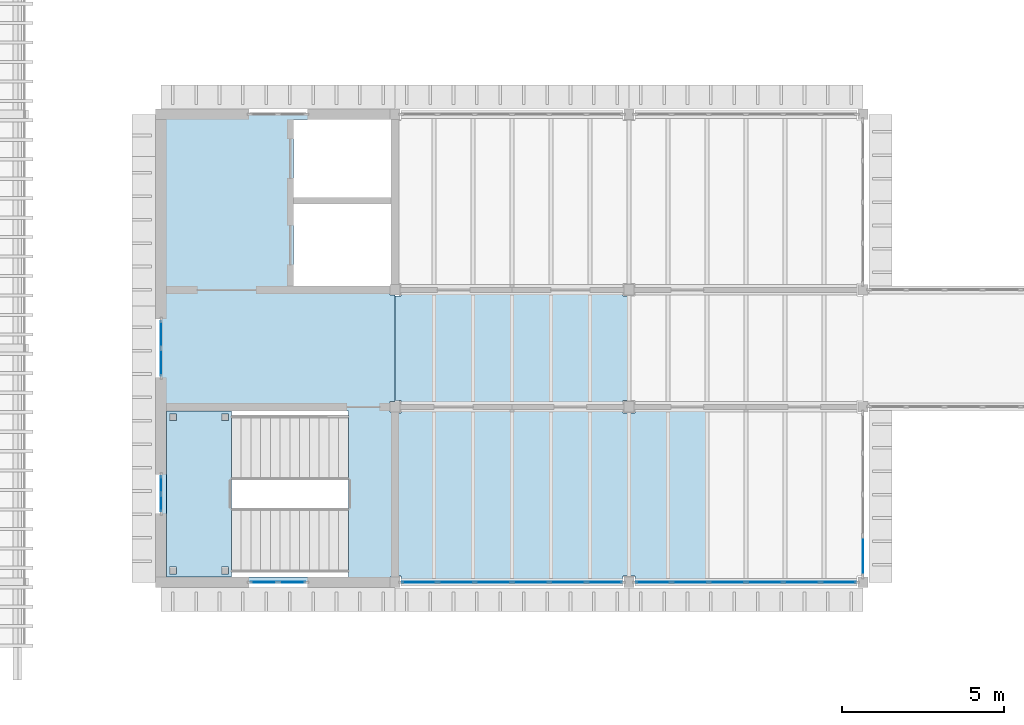
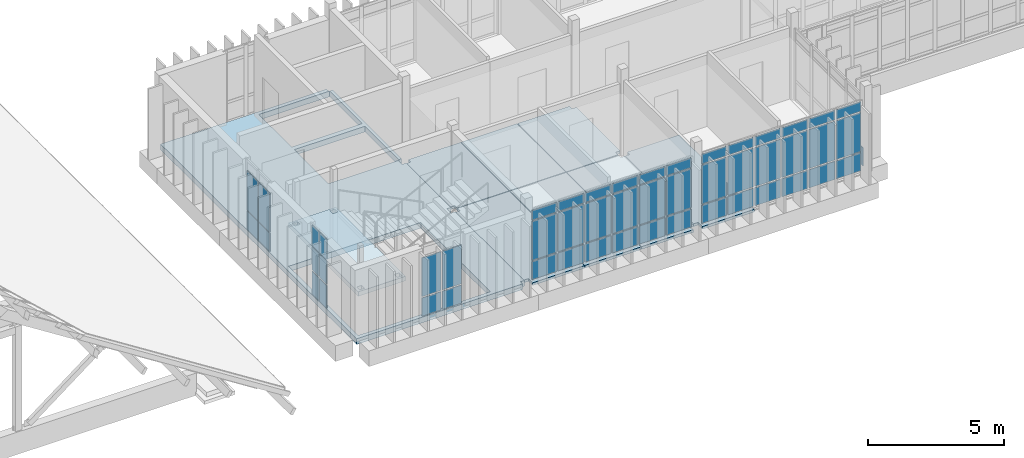
# One storey, part 31 of 71: 51 plates, 9 slabs, 7 elements without a shape of their own.
"""IFC4 building model written with IfcOpenShell, lengths in metres."""

from ifc_helpers import new_model, si_unit, direction, frame, origin, origin_2d, place, context, subcontext, project, spatial, polyline, rectangle, outline, extrude, material, layer, layer_set, type_object, element, aggregate, save


model = new_model("IFC4")

# Units and contexts
model_context = context("Model", 3, precision=1e-05, world=origin(), true_north=direction((0.0, 1.0)))
body_context = subcontext(model_context, "Body", "Model", "MODEL_VIEW")
ifc_project = project(units=[si_unit("LENGTHUNIT", "METRE"), si_unit("AREAUNIT", "SQUARE_METRE"), si_unit("VOLUMEUNIT", "CUBIC_METRE"), si_unit("PLANEANGLEUNIT", "RADIAN"), si_unit("MASSUNIT", "GRAM", prefix="KILO")], contexts=[model_context])

# Site, building, storey
site_placement = place(None, origin())
site = spatial("IfcSite", under=ifc_project, at=site_placement, CompositionType="ELEMENT")
building_placement = place(site_placement, origin())
building = spatial("IfcBuilding", under=site, at=building_placement, Name="Mazhai Court Health Centre", CompositionType="ELEMENT")
storey_placement = place(building_placement, frame((0.0, 0.0, 10.199951171875)))
storey = spatial("IfcBuildingStorey", under=building, at=storey_placement, Name="L02", CompositionType="ELEMENT", Elevation=10.199951171875)

# Slabs
ifc_material_1 = material(Name="CLT C24 5-ply", Category="wood")
ifc_layer_1 = layer(ifc_material_1, 0.1201171875)
ifc_layer_set_1 = layer_set([ifc_layer_1], Name="CLT C24 5-ply 120 floor panel")
slab_type_1 = type_object("IfcSlabType", Name="CLT C24 5-ply 120 floor panel", PredefinedType="FLOOR", material=ifc_layer_set_1)
slab_1_placement = place(storey_placement, frame((0.0, 0.0, -0.119873046875)))
element("IfcSlab", 1, at=slab_1_placement, inside=storey, type_object=slab_type_1, Name="slab-V4-L02-b1-A0", PredefinedType="FLOOR", context=body_context, shape_type="SweptSolid", body=[
    extrude(outline(polyline([(80.590087890625, 18.7900390625), (78.389892578125, 18.7900390625), (78.389892578125, 18.610107421875), (78.199951171875, 18.610107421875), (78.199951171875, 13.590087890625), (78.389892578125, 13.590087890625), (78.389892578125, 13.280029296875), (80.590087890625, 13.280029296875), (80.590087890625, 18.7900390625)])), origin(), (0.0, 0.0, 1.0), 0.119873046875),
])
slab_2_placement = place(storey_placement, frame((0.0, 0.0, -0.119873046875)))
element("IfcSlab", 2, at=slab_2_placement, inside=storey, type_object=slab_type_1, Name="slab-V4-L02-b1-A1", PredefinedType="FLOOR", context=body_context, shape_type="SweptSolid", body=[
    extrude(outline(polyline([(80.610107421875, 13.280029296875), (82.989990234375, 13.280029296875), (82.989990234375, 18.7900390625), (80.610107421875, 18.7900390625), (80.610107421875, 13.280029296875)])), origin(), (0.0, 0.0, 1.0), 0.119873046875),
])
slab_3_placement = place(storey_placement, frame((0.0, 0.0, -0.119873046875)))
element("IfcSlab", 3, at=slab_3_placement, inside=storey, type_object=slab_type_1, Name="slab-V4-L02-b1-A2", PredefinedType="FLOOR", context=body_context, shape_type="SweptSolid", body=[
    extrude(outline(polyline([(85.39990234375, 13.590087890625), (85.39990234375, 18.610107421875), (85.2099609375, 18.610107421875), (85.2099609375, 18.7900390625), (83.010009765625, 18.7900390625), (83.010009765625, 13.280029296875), (85.2099609375, 13.280029296875), (85.2099609375, 13.590087890625), (85.39990234375, 13.590087890625)])), origin(), (0.0, 0.0, 1.0), 0.119873046875),
])
slab_4_placement = place(storey_placement, frame((0.0, 0.0, -0.119873046875)))
element("IfcSlab", 4, at=slab_4_placement, inside=storey, type_object=slab_type_1, Name="slab-V4-L02-b1-C0", PredefinedType="FLOOR", context=body_context, shape_type="SweptSolid", body=[
    extrude(outline(polyline([(80.590087890625, 22.389892578125), (78.389892578125, 22.389892578125), (78.389892578125, 22.2099609375), (78.199951171875, 22.2099609375), (78.199951171875, 18.989990234375), (78.389892578125, 18.989990234375), (78.389892578125, 18.81005859375), (80.590087890625, 18.81005859375), (80.590087890625, 22.389892578125)])), origin(), (0.0, 0.0, 1.0), 0.119873046875),
])
slab_5_placement = place(storey_placement, frame((0.0, 0.0, -0.119873046875)))
element("IfcSlab", 5, at=slab_5_placement, inside=storey, type_object=slab_type_1, Name="slab-V4-L02-b1-C1", PredefinedType="FLOOR", context=body_context, shape_type="SweptSolid", body=[
    extrude(outline(polyline([(80.610107421875, 18.81005859375), (82.989990234375, 18.81005859375), (82.989990234375, 22.389892578125), (80.610107421875, 22.389892578125), (80.610107421875, 18.81005859375)])), origin(), (0.0, 0.0, 1.0), 0.119873046875),
])
slab_6_placement = place(storey_placement, frame((0.0, 0.0, -0.119873046875)))
element("IfcSlab", 6, at=slab_6_placement, inside=storey, type_object=slab_type_1, Name="slab-V4-L02-b1-C2", PredefinedType="FLOOR", context=body_context, shape_type="SweptSolid", body=[
    extrude(outline(polyline([(85.39990234375, 18.989990234375), (85.39990234375, 22.2099609375), (85.2099609375, 22.2099609375), (85.2099609375, 22.389892578125), (83.010009765625, 22.389892578125), (83.010009765625, 18.81005859375), (85.2099609375, 18.81005859375), (85.2099609375, 18.989990234375), (85.39990234375, 18.989990234375)])), origin(), (0.0, 0.0, 1.0), 0.119873046875),
])
slab_7_placement = place(storey_placement, frame((0.0, 0.0, -0.119873046875)))
element("IfcSlab", 7, at=slab_7_placement, inside=storey, type_object=slab_type_1, Name="slab-V4-L02-b2-A0", PredefinedType="FLOOR", context=body_context, shape_type="SweptSolid", body=[
    extrude(outline(polyline([(87.7900390625, 18.7900390625), (85.590087890625, 18.7900390625), (85.590087890625, 18.610107421875), (85.39990234375, 18.610107421875), (85.39990234375, 13.590087890625), (85.590087890625, 13.590087890625), (85.590087890625, 13.280029296875), (87.7900390625, 13.280029296875), (87.7900390625, 18.7900390625)])), origin(), (0.0, 0.0, 1.0), 0.119873046875),
])

# Curtain wall, plates
ifc_material_2 = material(Name="Teak timber frame, glazed", Category="wood")
ifc_layer_2 = layer(ifc_material_2, 0.10009765625)
ifc_layer_set_2 = layer_set([ifc_layer_2], Name="CURTAIN WALL TIMBER 900")
curtain_wall_type_1 = type_object("IfcCurtainWallType", Name="CURTAIN WALL TIMBER 900", PredefinedType="NOTDEFINED", material=ifc_layer_set_2)
curtain_wall_1_placement = place(storey_placement, origin())
curtain_wall_1 = element("IfcCurtainWall", 8, at=curtain_wall_1_placement, inside=storey, type_object=curtain_wall_type_1, Name="CW-V4-L02-A0", PredefinedType="NOTDEFINED")
ifc_material_3 = material(Name="Glass IGU 28 mm", Category="glass")
ifc_layer_3 = layer(ifc_material_3, 0.028076171875)
ifc_layer_set_3 = layer_set([ifc_layer_3], Name="CW PANEL IGU 28")
plate_type = type_object("IfcPlateType", Name="CW PANEL IGU 28", PredefinedType="CURTAIN_PANEL", material=ifc_layer_set_3)
plate_1_placement = place(storey_placement, frame((75.034912109375, 13.39990234375, 0.06005859375), z_axis=(0.0, 0.0, 1.0), x_axis=(-1.0, 0.0, 0.0)))
plate_1 = element("IfcPlate", 9, at=plate_1_placement, type_object=plate_type, Name="CW panel 1.1", PredefinedType="CURTAIN_PANEL", context=body_context, shape_type="SweptSolid", body=[
    extrude(rectangle(XDim=0.81005859375, YDim=0.028076171875, at=origin_2d()), origin(), (0.0, 0.0, 1.0), 0.81005859375),
])
plate_2_placement = place(storey_placement, frame((75.034912109375, 13.39990234375, 0.93017578125), z_axis=(0.0, 0.0, 1.0), x_axis=(-1.0, 0.0, 0.0)))
plate_2 = element("IfcPlate", 10, at=plate_2_placement, type_object=plate_type, Name="CW panel 1.2", PredefinedType="CURTAIN_PANEL", context=body_context, shape_type="SweptSolid", body=[
    extrude(rectangle(XDim=0.81005859375, YDim=0.028076171875, at=origin_2d()), origin(), (0.0, 0.0, 1.0), 1.739990234375),
])
plate_3_placement = place(storey_placement, frame((74.1650390625, 13.39990234375, 0.06005859375), z_axis=(0.0, 0.0, 1.0), x_axis=(-1.0, 0.0, 0.0)))
plate_3 = element("IfcPlate", 11, at=plate_3_placement, type_object=plate_type, Name="CW panel 2.1", PredefinedType="CURTAIN_PANEL", context=body_context, shape_type="SweptSolid", body=[
    extrude(rectangle(XDim=0.81005859375, YDim=0.028076171875, at=origin_2d()), origin(), (0.0, 0.0, 1.0), 0.81005859375),
])
plate_4_placement = place(storey_placement, frame((74.1650390625, 13.39990234375, 0.93017578125), z_axis=(0.0, 0.0, 1.0), x_axis=(-1.0, 0.0, 0.0)))
plate_4 = element("IfcPlate", 12, at=plate_4_placement, type_object=plate_type, Name="CW panel 2.2", PredefinedType="CURTAIN_PANEL", context=body_context, shape_type="SweptSolid", body=[
    extrude(rectangle(XDim=0.81005859375, YDim=0.028076171875, at=origin_2d()), origin(), (0.0, 0.0, 1.0), 1.739990234375),
])
aggregate(curtain_wall_1, [plate_1, plate_2, plate_3, plate_4])

ifc_material_4 = material(Name="Teak timber frame, glazed", Category="wood")
ifc_layer_4 = layer(ifc_material_4, 0.10009765625)
ifc_layer_set_4 = layer_set([ifc_layer_4], Name="CURTAIN WALL TIMBER 600")
curtain_wall_type_2 = type_object("IfcCurtainWallType", Name="CURTAIN WALL TIMBER 600", PredefinedType="NOTDEFINED", material=ifc_layer_set_4)
curtain_wall_2_placement = place(storey_placement, origin())
curtain_wall_2 = element("IfcCurtainWall", 13, at=curtain_wall_2_placement, inside=storey, type_object=curtain_wall_type_2, Name="CW-V4-L02-SSTAIR0", PredefinedType="NOTDEFINED")
plate_5_placement = place(storey_placement, frame((71.0, 15.8349609375, 0.06005859375), z_axis=(0.0, 0.0, 1.0), x_axis=(0.0, 1.0, 0.0)))
plate_5 = element("IfcPlate", 14, at=plate_5_placement, type_object=plate_type, Name="CW panel 1.1", PredefinedType="CURTAIN_PANEL", context=body_context, shape_type="SweptSolid", body=[
    extrude(rectangle(XDim=0.510009765625, YDim=0.028076171875, at=origin_2d()), origin(), (0.0, 0.0, 1.0), 1.010009765625),
])
plate_6_placement = place(storey_placement, frame((71.0, 15.8349609375, 1.130126953125), z_axis=(0.0, 0.0, 1.0), x_axis=(0.0, 1.0, 0.0)))
plate_6 = element("IfcPlate", 15, at=plate_6_placement, type_object=plate_type, Name="CW panel 1.2", PredefinedType="CURTAIN_PANEL", context=body_context, shape_type="SweptSolid", body=[
    extrude(rectangle(XDim=0.510009765625, YDim=0.028076171875, at=origin_2d()), origin(), (0.0, 0.0, 1.0), 1.0400390625),
])
plate_7_placement = place(storey_placement, frame((71.0, 15.8349609375, 2.22998046875), z_axis=(0.0, 0.0, 1.0), x_axis=(0.0, 1.0, 0.0)))
plate_7 = element("IfcPlate", 16, at=plate_7_placement, type_object=plate_type, Name="CW panel 1.3", PredefinedType="CURTAIN_PANEL", context=body_context, shape_type="SweptSolid", body=[
    extrude(rectangle(XDim=0.510009765625, YDim=0.028076171875, at=origin_2d()), origin(), (0.0, 0.0, 1.0), 0.909912109375),
])
plate_8_placement = place(storey_placement, frame((71.0, 16.405029296875, 0.06005859375), z_axis=(0.0, 0.0, 1.0), x_axis=(0.0, 1.0, 0.0)))
plate_8 = element("IfcPlate", 17, at=plate_8_placement, type_object=plate_type, Name="CW panel 2.1", PredefinedType="CURTAIN_PANEL", context=body_context, shape_type="SweptSolid", body=[
    extrude(rectangle(XDim=0.510009765625, YDim=0.028076171875, at=origin_2d()), origin(), (0.0, 0.0, 1.0), 1.010009765625),
])
plate_9_placement = place(storey_placement, frame((71.0, 16.405029296875, 1.130126953125), z_axis=(0.0, 0.0, 1.0), x_axis=(0.0, 1.0, 0.0)))
plate_9 = element("IfcPlate", 18, at=plate_9_placement, type_object=plate_type, Name="CW panel 2.2", PredefinedType="CURTAIN_PANEL", context=body_context, shape_type="SweptSolid", body=[
    extrude(rectangle(XDim=0.510009765625, YDim=0.028076171875, at=origin_2d()), origin(), (0.0, 0.0, 1.0), 1.0400390625),
])
plate_10_placement = place(storey_placement, frame((71.0, 16.405029296875, 2.22998046875), z_axis=(0.0, 0.0, 1.0), x_axis=(0.0, 1.0, 0.0)))
plate_10 = element("IfcPlate", 19, at=plate_10_placement, type_object=plate_type, Name="CW panel 2.3", PredefinedType="CURTAIN_PANEL", context=body_context, shape_type="SweptSolid", body=[
    extrude(rectangle(XDim=0.510009765625, YDim=0.028076171875, at=origin_2d()), origin(), (0.0, 0.0, 1.0), 0.909912109375),
])
aggregate(curtain_wall_2, [plate_5, plate_6, plate_7, plate_8, plate_9, plate_10])

curtain_wall_3_placement = place(storey_placement, origin())
curtain_wall_3 = element("IfcCurtainWall", 20, at=curtain_wall_3_placement, inside=storey, type_object=curtain_wall_type_1, Name="CW-V4-L02-SLIFT1", PredefinedType="NOTDEFINED")
plate_11_placement = place(storey_placement, frame((71.0, 20.1650390625, 0.06005859375), z_axis=(0.0, 0.0, 1.0), x_axis=(0.0, 1.0, 0.0)))
plate_11 = element("IfcPlate", 21, at=plate_11_placement, type_object=plate_type, Name="CW panel 1.1", PredefinedType="CURTAIN_PANEL", context=body_context, shape_type="SweptSolid", body=[
    extrude(rectangle(XDim=0.81005859375, YDim=0.028076171875, at=origin_2d()), origin(), (0.0, 0.0, 1.0), 0.81005859375),
])
plate_12_placement = place(storey_placement, frame((71.0, 20.1650390625, 0.93017578125), z_axis=(0.0, 0.0, 1.0), x_axis=(0.0, 1.0, 0.0)))
plate_12 = element("IfcPlate", 22, at=plate_12_placement, type_object=plate_type, Name="CW panel 1.2", PredefinedType="CURTAIN_PANEL", context=body_context, shape_type="SweptSolid", body=[
    extrude(rectangle(XDim=0.81005859375, YDim=0.028076171875, at=origin_2d()), origin(), (0.0, 0.0, 1.0), 1.739990234375),
])
plate_13_placement = place(storey_placement, frame((71.0, 21.034912109375, 0.06005859375), z_axis=(0.0, 0.0, 1.0), x_axis=(0.0, 1.0, 0.0)))
plate_13 = element("IfcPlate", 23, at=plate_13_placement, type_object=plate_type, Name="CW panel 2.1", PredefinedType="CURTAIN_PANEL", context=body_context, shape_type="SweptSolid", body=[
    extrude(rectangle(XDim=0.81005859375, YDim=0.028076171875, at=origin_2d()), origin(), (0.0, 0.0, 1.0), 0.81005859375),
])
plate_14_placement = place(storey_placement, frame((71.0, 21.034912109375, 0.93017578125), z_axis=(0.0, 0.0, 1.0), x_axis=(0.0, 1.0, 0.0)))
plate_14 = element("IfcPlate", 24, at=plate_14_placement, type_object=plate_type, Name="CW panel 2.2", PredefinedType="CURTAIN_PANEL", context=body_context, shape_type="SweptSolid", body=[
    extrude(rectangle(XDim=0.81005859375, YDim=0.028076171875, at=origin_2d()), origin(), (0.0, 0.0, 1.0), 1.739990234375),
])
aggregate(curtain_wall_3, [plate_11, plate_12, plate_13, plate_14])

ifc_material_5 = material(Name="Teak timber frame, glazed", Category="wood")
ifc_layer_5 = layer(ifc_material_5, 0.10009765625)
ifc_layer_set_5 = layer_set([ifc_layer_5], Name="CURTAIN WALL TIMBER 1200")
curtain_wall_type_3 = type_object("IfcCurtainWallType", Name="CURTAIN WALL TIMBER 1200", PredefinedType="NOTDEFINED", material=ifc_layer_set_5)
curtain_wall_4_placement = place(storey_placement, origin())
curtain_wall_4 = element("IfcCurtainWall", 25, at=curtain_wall_4_placement, inside=storey, type_object=curtain_wall_type_3, Name="CW-V4-L02-A1", PredefinedType="NOTDEFINED")
plate_15_placement = place(storey_placement, frame((84.651611328125, 13.39990234375, 0.06005859375), z_axis=(0.0, 0.0, 1.0), x_axis=(-1.0, 0.0, 0.0)))
plate_15 = element("IfcPlate", 26, at=plate_15_placement, type_object=plate_type, Name="CW panel 1.1", PredefinedType="CURTAIN_PANEL", context=body_context, shape_type="SweptSolid", body=[
    extrude(rectangle(XDim=1.056640625, YDim=0.028076171875, at=origin_2d()), origin(), (0.0, 0.0, 1.0), 0.81005859375),
])
plate_16_placement = place(storey_placement, frame((84.651611328125, 13.39990234375, 0.93017578125), z_axis=(0.0, 0.0, 1.0), x_axis=(-1.0, 0.0, 0.0)))
plate_16 = element("IfcPlate", 27, at=plate_16_placement, type_object=plate_type, Name="CW panel 1.2", PredefinedType="CURTAIN_PANEL", context=body_context, shape_type="SweptSolid", body=[
    extrude(rectangle(XDim=1.056640625, YDim=0.028076171875, at=origin_2d()), origin(), (0.0, 0.0, 1.0), 1.739990234375),
])
plate_17_placement = place(storey_placement, frame((84.651611328125, 13.39990234375, 2.72998046875), z_axis=(0.0, 0.0, 1.0), x_axis=(-1.0, 0.0, 0.0)))
plate_17 = element("IfcPlate", 28, at=plate_17_placement, type_object=plate_type, Name="CW panel 1.3", PredefinedType="CURTAIN_PANEL", context=body_context, shape_type="SweptSolid", body=[
    extrude(rectangle(XDim=1.056640625, YDim=0.028076171875, at=origin_2d()), origin(), (0.0, 0.0, 1.0), 0.429931640625),
])
plate_18_placement = place(storey_placement, frame((83.52001953125, 13.39990234375, 0.06005859375), z_axis=(0.0, 0.0, 1.0), x_axis=(-1.0, 0.0, 0.0)))
plate_18 = element("IfcPlate", 29, at=plate_18_placement, type_object=plate_type, Name="CW panel 2.1", PredefinedType="CURTAIN_PANEL", context=body_context, shape_type="SweptSolid", body=[
    extrude(rectangle(XDim=1.086669921875, YDim=0.028076171875, at=origin_2d()), origin(), (0.0, 0.0, 1.0), 0.81005859375),
])
plate_19_placement = place(storey_placement, frame((83.52001953125, 13.39990234375, 0.93017578125), z_axis=(0.0, 0.0, 1.0), x_axis=(-1.0, 0.0, 0.0)))
plate_19 = element("IfcPlate", 30, at=plate_19_placement, type_object=plate_type, Name="CW panel 2.2", PredefinedType="CURTAIN_PANEL", context=body_context, shape_type="SweptSolid", body=[
    extrude(rectangle(XDim=1.086669921875, YDim=0.028076171875, at=origin_2d()), origin(), (0.0, 0.0, 1.0), 1.739990234375),
])
plate_20_placement = place(storey_placement, frame((83.52001953125, 13.39990234375, 2.72998046875), z_axis=(0.0, 0.0, 1.0), x_axis=(-1.0, 0.0, 0.0)))
plate_20 = element("IfcPlate", 31, at=plate_20_placement, type_object=plate_type, Name="CW panel 2.3", PredefinedType="CURTAIN_PANEL", context=body_context, shape_type="SweptSolid", body=[
    extrude(rectangle(XDim=1.086669921875, YDim=0.028076171875, at=origin_2d()), origin(), (0.0, 0.0, 1.0), 0.429931640625),
])
plate_21_placement = place(storey_placement, frame((82.373291015625, 13.39990234375, 0.06005859375), z_axis=(0.0, 0.0, 1.0), x_axis=(-1.0, 0.0, 0.0)))
plate_21 = element("IfcPlate", 32, at=plate_21_placement, type_object=plate_type, Name="CW panel 3.1", PredefinedType="CURTAIN_PANEL", context=body_context, shape_type="SweptSolid", body=[
    extrude(rectangle(XDim=1.086669921875, YDim=0.028076171875, at=origin_2d()), origin(), (0.0, 0.0, 1.0), 0.81005859375),
])
plate_22_placement = place(storey_placement, frame((82.373291015625, 13.39990234375, 0.93017578125), z_axis=(0.0, 0.0, 1.0), x_axis=(-1.0, 0.0, 0.0)))
plate_22 = element("IfcPlate", 33, at=plate_22_placement, type_object=plate_type, Name="CW panel 3.2", PredefinedType="CURTAIN_PANEL", context=body_context, shape_type="SweptSolid", body=[
    extrude(rectangle(XDim=1.086669921875, YDim=0.028076171875, at=origin_2d()), origin(), (0.0, 0.0, 1.0), 1.739990234375),
])
plate_23_placement = place(storey_placement, frame((82.373291015625, 13.39990234375, 2.72998046875), z_axis=(0.0, 0.0, 1.0), x_axis=(-1.0, 0.0, 0.0)))
plate_23 = element("IfcPlate", 34, at=plate_23_placement, type_object=plate_type, Name="CW panel 3.3", PredefinedType="CURTAIN_PANEL", context=body_context, shape_type="SweptSolid", body=[
    extrude(rectangle(XDim=1.086669921875, YDim=0.028076171875, at=origin_2d()), origin(), (0.0, 0.0, 1.0), 0.429931640625),
])
plate_24_placement = place(storey_placement, frame((81.2265625, 13.39990234375, 0.06005859375), z_axis=(0.0, 0.0, 1.0), x_axis=(-1.0, 0.0, 0.0)))
plate_24 = element("IfcPlate", 35, at=plate_24_placement, type_object=plate_type, Name="CW panel 4.1", PredefinedType="CURTAIN_PANEL", context=body_context, shape_type="SweptSolid", body=[
    extrude(rectangle(XDim=1.086669921875, YDim=0.028076171875, at=origin_2d()), origin(), (0.0, 0.0, 1.0), 0.81005859375),
])
plate_25_placement = place(storey_placement, frame((81.2265625, 13.39990234375, 0.93017578125), z_axis=(0.0, 0.0, 1.0), x_axis=(-1.0, 0.0, 0.0)))
plate_25 = element("IfcPlate", 36, at=plate_25_placement, type_object=plate_type, Name="CW panel 4.2", PredefinedType="CURTAIN_PANEL", context=body_context, shape_type="SweptSolid", body=[
    extrude(rectangle(XDim=1.086669921875, YDim=0.028076171875, at=origin_2d()), origin(), (0.0, 0.0, 1.0), 1.739990234375),
])
plate_26_placement = place(storey_placement, frame((81.2265625, 13.39990234375, 2.72998046875), z_axis=(0.0, 0.0, 1.0), x_axis=(-1.0, 0.0, 0.0)))
plate_26 = element("IfcPlate", 37, at=plate_26_placement, type_object=plate_type, Name="CW panel 4.3", PredefinedType="CURTAIN_PANEL", context=body_context, shape_type="SweptSolid", body=[
    extrude(rectangle(XDim=1.086669921875, YDim=0.028076171875, at=origin_2d()), origin(), (0.0, 0.0, 1.0), 0.429931640625),
])
plate_27_placement = place(storey_placement, frame((80.080078125, 13.39990234375, 0.06005859375), z_axis=(0.0, 0.0, 1.0), x_axis=(-1.0, 0.0, 0.0)))
plate_27 = element("IfcPlate", 38, at=plate_27_placement, type_object=plate_type, Name="CW panel 5.1", PredefinedType="CURTAIN_PANEL", context=body_context, shape_type="SweptSolid", body=[
    extrude(rectangle(XDim=1.086669921875, YDim=0.028076171875, at=origin_2d()), origin(), (0.0, 0.0, 1.0), 0.81005859375),
])
plate_28_placement = place(storey_placement, frame((80.080078125, 13.39990234375, 0.93017578125), z_axis=(0.0, 0.0, 1.0), x_axis=(-1.0, 0.0, 0.0)))
plate_28 = element("IfcPlate", 39, at=plate_28_placement, type_object=plate_type, Name="CW panel 5.2", PredefinedType="CURTAIN_PANEL", context=body_context, shape_type="SweptSolid", body=[
    extrude(rectangle(XDim=1.086669921875, YDim=0.028076171875, at=origin_2d()), origin(), (0.0, 0.0, 1.0), 1.739990234375),
])
plate_29_placement = place(storey_placement, frame((80.080078125, 13.39990234375, 2.72998046875), z_axis=(0.0, 0.0, 1.0), x_axis=(-1.0, 0.0, 0.0)))
plate_29 = element("IfcPlate", 40, at=plate_29_placement, type_object=plate_type, Name="CW panel 5.3", PredefinedType="CURTAIN_PANEL", context=body_context, shape_type="SweptSolid", body=[
    extrude(rectangle(XDim=1.086669921875, YDim=0.028076171875, at=origin_2d()), origin(), (0.0, 0.0, 1.0), 0.429931640625),
])
plate_30_placement = place(storey_placement, frame((78.9482421875, 13.39990234375, 0.06005859375), z_axis=(0.0, 0.0, 1.0), x_axis=(-1.0, 0.0, 0.0)))
plate_30 = element("IfcPlate", 41, at=plate_30_placement, type_object=plate_type, Name="CW panel 6.1", PredefinedType="CURTAIN_PANEL", context=body_context, shape_type="SweptSolid", body=[
    extrude(rectangle(XDim=1.056640625, YDim=0.028076171875, at=origin_2d()), origin(), (0.0, 0.0, 1.0), 0.81005859375),
])
plate_31_placement = place(storey_placement, frame((78.9482421875, 13.39990234375, 0.93017578125), z_axis=(0.0, 0.0, 1.0), x_axis=(-1.0, 0.0, 0.0)))
plate_31 = element("IfcPlate", 42, at=plate_31_placement, type_object=plate_type, Name="CW panel 6.2", PredefinedType="CURTAIN_PANEL", context=body_context, shape_type="SweptSolid", body=[
    extrude(rectangle(XDim=1.056640625, YDim=0.028076171875, at=origin_2d()), origin(), (0.0, 0.0, 1.0), 1.739990234375),
])
plate_32_placement = place(storey_placement, frame((78.9482421875, 13.39990234375, 2.72998046875), z_axis=(0.0, 0.0, 1.0), x_axis=(-1.0, 0.0, 0.0)))
plate_32 = element("IfcPlate", 43, at=plate_32_placement, type_object=plate_type, Name="CW panel 6.3", PredefinedType="CURTAIN_PANEL", context=body_context, shape_type="SweptSolid", body=[
    extrude(rectangle(XDim=1.056640625, YDim=0.028076171875, at=origin_2d()), origin(), (0.0, 0.0, 1.0), 0.429931640625),
])
aggregate(curtain_wall_4, [plate_15, plate_16, plate_17, plate_18, plate_19, plate_20, plate_21, plate_22, plate_23, plate_24, plate_25, plate_26, plate_27, plate_28, plate_29, plate_30, plate_31, plate_32])

curtain_wall_5_placement = place(storey_placement, origin())
curtain_wall_5 = element("IfcCurtainWall", 44, at=curtain_wall_5_placement, inside=storey, type_object=curtain_wall_type_3, Name="CW-V4-L02-A2", PredefinedType="NOTDEFINED")
plate_33_placement = place(storey_placement, frame((91.8515625, 13.39990234375, 0.06005859375), z_axis=(0.0, 0.0, 1.0), x_axis=(-1.0, 0.0, 0.0)))
plate_33 = element("IfcPlate", 45, at=plate_33_placement, type_object=plate_type, Name="CW panel 1.1", PredefinedType="CURTAIN_PANEL", context=body_context, shape_type="SweptSolid", body=[
    extrude(rectangle(XDim=1.056640625, YDim=0.028076171875, at=origin_2d()), origin(), (0.0, 0.0, 1.0), 0.81005859375),
])
plate_34_placement = place(storey_placement, frame((91.8515625, 13.39990234375, 0.93017578125), z_axis=(0.0, 0.0, 1.0), x_axis=(-1.0, 0.0, 0.0)))
plate_34 = element("IfcPlate", 46, at=plate_34_placement, type_object=plate_type, Name="CW panel 1.2", PredefinedType="CURTAIN_PANEL", context=body_context, shape_type="SweptSolid", body=[
    extrude(rectangle(XDim=1.056640625, YDim=0.028076171875, at=origin_2d()), origin(), (0.0, 0.0, 1.0), 1.739990234375),
])
plate_35_placement = place(storey_placement, frame((91.8515625, 13.39990234375, 2.72998046875), z_axis=(0.0, 0.0, 1.0), x_axis=(-1.0, 0.0, 0.0)))
plate_35 = element("IfcPlate", 47, at=plate_35_placement, type_object=plate_type, Name="CW panel 1.3", PredefinedType="CURTAIN_PANEL", context=body_context, shape_type="SweptSolid", body=[
    extrude(rectangle(XDim=1.056640625, YDim=0.028076171875, at=origin_2d()), origin(), (0.0, 0.0, 1.0), 0.429931640625),
])
plate_36_placement = place(storey_placement, frame((90.719970703125, 13.39990234375, 0.06005859375), z_axis=(0.0, 0.0, 1.0), x_axis=(-1.0, 0.0, 0.0)))
plate_36 = element("IfcPlate", 48, at=plate_36_placement, type_object=plate_type, Name="CW panel 2.1", PredefinedType="CURTAIN_PANEL", context=body_context, shape_type="SweptSolid", body=[
    extrude(rectangle(XDim=1.086669921875, YDim=0.028076171875, at=origin_2d()), origin(), (0.0, 0.0, 1.0), 0.81005859375),
])
plate_37_placement = place(storey_placement, frame((90.719970703125, 13.39990234375, 0.93017578125), z_axis=(0.0, 0.0, 1.0), x_axis=(-1.0, 0.0, 0.0)))
plate_37 = element("IfcPlate", 49, at=plate_37_placement, type_object=plate_type, Name="CW panel 2.2", PredefinedType="CURTAIN_PANEL", context=body_context, shape_type="SweptSolid", body=[
    extrude(rectangle(XDim=1.086669921875, YDim=0.028076171875, at=origin_2d()), origin(), (0.0, 0.0, 1.0), 1.739990234375),
])
plate_38_placement = place(storey_placement, frame((90.719970703125, 13.39990234375, 2.72998046875), z_axis=(0.0, 0.0, 1.0), x_axis=(-1.0, 0.0, 0.0)))
plate_38 = element("IfcPlate", 50, at=plate_38_placement, type_object=plate_type, Name="CW panel 2.3", PredefinedType="CURTAIN_PANEL", context=body_context, shape_type="SweptSolid", body=[
    extrude(rectangle(XDim=1.086669921875, YDim=0.028076171875, at=origin_2d()), origin(), (0.0, 0.0, 1.0), 0.429931640625),
])
plate_39_placement = place(storey_placement, frame((89.5732421875, 13.39990234375, 0.06005859375), z_axis=(0.0, 0.0, 1.0), x_axis=(-1.0, 0.0, 0.0)))
plate_39 = element("IfcPlate", 51, at=plate_39_placement, type_object=plate_type, Name="CW panel 3.1", PredefinedType="CURTAIN_PANEL", context=body_context, shape_type="SweptSolid", body=[
    extrude(rectangle(XDim=1.086669921875, YDim=0.028076171875, at=origin_2d()), origin(), (0.0, 0.0, 1.0), 0.81005859375),
])
plate_40_placement = place(storey_placement, frame((89.5732421875, 13.39990234375, 0.93017578125), z_axis=(0.0, 0.0, 1.0), x_axis=(-1.0, 0.0, 0.0)))
plate_40 = element("IfcPlate", 52, at=plate_40_placement, type_object=plate_type, Name="CW panel 3.2", PredefinedType="CURTAIN_PANEL", context=body_context, shape_type="SweptSolid", body=[
    extrude(rectangle(XDim=1.086669921875, YDim=0.028076171875, at=origin_2d()), origin(), (0.0, 0.0, 1.0), 1.739990234375),
])
plate_41_placement = place(storey_placement, frame((89.5732421875, 13.39990234375, 2.72998046875), z_axis=(0.0, 0.0, 1.0), x_axis=(-1.0, 0.0, 0.0)))
plate_41 = element("IfcPlate", 53, at=plate_41_placement, type_object=plate_type, Name="CW panel 3.3", PredefinedType="CURTAIN_PANEL", context=body_context, shape_type="SweptSolid", body=[
    extrude(rectangle(XDim=1.086669921875, YDim=0.028076171875, at=origin_2d()), origin(), (0.0, 0.0, 1.0), 0.429931640625),
])
plate_42_placement = place(storey_placement, frame((88.4267578125, 13.39990234375, 0.06005859375), z_axis=(0.0, 0.0, 1.0), x_axis=(-1.0, 0.0, 0.0)))
plate_42 = element("IfcPlate", 54, at=plate_42_placement, type_object=plate_type, Name="CW panel 4.1", PredefinedType="CURTAIN_PANEL", context=body_context, shape_type="SweptSolid", body=[
    extrude(rectangle(XDim=1.086669921875, YDim=0.028076171875, at=origin_2d()), origin(), (0.0, 0.0, 1.0), 0.81005859375),
])
plate_43_placement = place(storey_placement, frame((88.4267578125, 13.39990234375, 0.93017578125), z_axis=(0.0, 0.0, 1.0), x_axis=(-1.0, 0.0, 0.0)))
plate_43 = element("IfcPlate", 55, at=plate_43_placement, type_object=plate_type, Name="CW panel 4.2", PredefinedType="CURTAIN_PANEL", context=body_context, shape_type="SweptSolid", body=[
    extrude(rectangle(XDim=1.086669921875, YDim=0.028076171875, at=origin_2d()), origin(), (0.0, 0.0, 1.0), 1.739990234375),
])
plate_44_placement = place(storey_placement, frame((88.4267578125, 13.39990234375, 2.72998046875), z_axis=(0.0, 0.0, 1.0), x_axis=(-1.0, 0.0, 0.0)))
plate_44 = element("IfcPlate", 56, at=plate_44_placement, type_object=plate_type, Name="CW panel 4.3", PredefinedType="CURTAIN_PANEL", context=body_context, shape_type="SweptSolid", body=[
    extrude(rectangle(XDim=1.086669921875, YDim=0.028076171875, at=origin_2d()), origin(), (0.0, 0.0, 1.0), 0.429931640625),
])
plate_45_placement = place(storey_placement, frame((87.280029296875, 13.39990234375, 0.06005859375), z_axis=(0.0, 0.0, 1.0), x_axis=(-1.0, 0.0, 0.0)))
plate_45 = element("IfcPlate", 57, at=plate_45_placement, type_object=plate_type, Name="CW panel 5.1", PredefinedType="CURTAIN_PANEL", context=body_context, shape_type="SweptSolid", body=[
    extrude(rectangle(XDim=1.086669921875, YDim=0.028076171875, at=origin_2d()), origin(), (0.0, 0.0, 1.0), 0.81005859375),
])
plate_46_placement = place(storey_placement, frame((87.280029296875, 13.39990234375, 0.93017578125), z_axis=(0.0, 0.0, 1.0), x_axis=(-1.0, 0.0, 0.0)))
plate_46 = element("IfcPlate", 58, at=plate_46_placement, type_object=plate_type, Name="CW panel 5.2", PredefinedType="CURTAIN_PANEL", context=body_context, shape_type="SweptSolid", body=[
    extrude(rectangle(XDim=1.086669921875, YDim=0.028076171875, at=origin_2d()), origin(), (0.0, 0.0, 1.0), 1.739990234375),
])
plate_47_placement = place(storey_placement, frame((87.280029296875, 13.39990234375, 2.72998046875), z_axis=(0.0, 0.0, 1.0), x_axis=(-1.0, 0.0, 0.0)))
plate_47 = element("IfcPlate", 59, at=plate_47_placement, type_object=plate_type, Name="CW panel 5.3", PredefinedType="CURTAIN_PANEL", context=body_context, shape_type="SweptSolid", body=[
    extrude(rectangle(XDim=1.086669921875, YDim=0.028076171875, at=origin_2d()), origin(), (0.0, 0.0, 1.0), 0.429931640625),
])
plate_48_placement = place(storey_placement, frame((86.1484375, 13.39990234375, 0.06005859375), z_axis=(0.0, 0.0, 1.0), x_axis=(-1.0, 0.0, 0.0)))
plate_48 = element("IfcPlate", 60, at=plate_48_placement, type_object=plate_type, Name="CW panel 6.1", PredefinedType="CURTAIN_PANEL", context=body_context, shape_type="SweptSolid", body=[
    extrude(rectangle(XDim=1.056640625, YDim=0.028076171875, at=origin_2d()), origin(), (0.0, 0.0, 1.0), 0.81005859375),
])
plate_49_placement = place(storey_placement, frame((86.1484375, 13.39990234375, 0.93017578125), z_axis=(0.0, 0.0, 1.0), x_axis=(-1.0, 0.0, 0.0)))
plate_49 = element("IfcPlate", 61, at=plate_49_placement, type_object=plate_type, Name="CW panel 6.2", PredefinedType="CURTAIN_PANEL", context=body_context, shape_type="SweptSolid", body=[
    extrude(rectangle(XDim=1.056640625, YDim=0.028076171875, at=origin_2d()), origin(), (0.0, 0.0, 1.0), 1.739990234375),
])
plate_50_placement = place(storey_placement, frame((86.1484375, 13.39990234375, 2.72998046875), z_axis=(0.0, 0.0, 1.0), x_axis=(-1.0, 0.0, 0.0)))
plate_50 = element("IfcPlate", 62, at=plate_50_placement, type_object=plate_type, Name="CW panel 6.3", PredefinedType="CURTAIN_PANEL", context=body_context, shape_type="SweptSolid", body=[
    extrude(rectangle(XDim=1.056640625, YDim=0.028076171875, at=origin_2d()), origin(), (0.0, 0.0, 1.0), 0.429931640625),
])
aggregate(curtain_wall_5, [plate_33, plate_34, plate_35, plate_36, plate_37, plate_38, plate_39, plate_40, plate_41, plate_42, plate_43, plate_44, plate_45, plate_46, plate_47, plate_48, plate_49, plate_50])

# Curtain wall, plate
curtain_wall_6_placement = place(storey_placement, origin())
curtain_wall_6 = element("IfcCurtainWall", 63, at=curtain_wall_6_placement, inside=storey, type_object=curtain_wall_type_3, Name="CW-V4-L02-CE2-0", PredefinedType="NOTDEFINED")
plate_51_placement = place(storey_placement, frame((92.60009765625, 14.2099609375, 0.06005859375), z_axis=(0.0, 0.0, 1.0), x_axis=(0.0, -1.0, 0.0)))
plate_51 = element("IfcPlate", 64, at=plate_51_placement, type_object=plate_type, Name="CW panel 4.1", PredefinedType="CURTAIN_PANEL", context=body_context, shape_type="SweptSolid", body=[
    extrude(rectangle(XDim=1.179931640625, YDim=0.028076171875, at=origin_2d()), origin(), (0.0, 0.0, 1.0), 0.81005859375),
])
aggregate(curtain_wall_6, [plate_51])

# Slab
ifc_material_6 = material(Name="Concrete M40", Category="concrete")
ifc_layer_6 = layer(ifc_material_6, 0.25)
ifc_layer_set_6 = layer_set([ifc_layer_6], Name="RC CORE FLOOR 250 M40")
slab_type_2 = type_object("IfcSlabType", Name="RC CORE FLOOR 250 M40", PredefinedType="FLOOR", material=ifc_layer_set_6)
slab_8_placement = place(storey_placement, frame((0.0, 0.0, -0.25)))
element("IfcSlab", 65, at=slab_8_placement, inside=storey, type_object=slab_type_2, Name="core-C6-floor-L02", PredefinedType="FLOOR", context=body_context, shape_type="SweptSolid", body=[
    extrude(outline(polyline([(78.0400390625, 22.239990234375), (78.199951171875, 22.239990234375), (78.199951171875, 18.9599609375), (78.0400390625, 18.9599609375), (78.0400390625, 18.639892578125), (78.199951171875, 18.639892578125), (78.199951171875, 13.56005859375), (78.0400390625, 13.56005859375), (78.0400390625, 13.39990234375), (71.0, 13.39990234375), (71.0, 27.800048828125), (78.0400390625, 27.800048828125), (78.0400390625, 27.639892578125), (78.199951171875, 27.639892578125), (78.199951171875, 22.56005859375), (78.074951171875, 22.56005859375), (78.074951171875, 25.034912109375), (75.074951171875, 25.034912109375), (75.074951171875, 22.52490234375), (78.0400390625, 22.52490234375), (78.0400390625, 22.239990234375)]), holes=[polyline([(76.763427734375, 13.56494140625), (76.763427734375, 18.675048828125), (71.1650390625, 18.675048828125), (71.1650390625, 13.56494140625), (76.763427734375, 13.56494140625)]), polyline([(78.074951171875, 27.635009765625), (75.074951171875, 27.635009765625), (75.074951171875, 25.235107421875), (78.074951171875, 25.235107421875), (78.074951171875, 27.635009765625)])]), origin(), (0.0, 0.0, 1.0), 0.25),
])

# Stair, slab
ifc_material_7 = material(Name="Concrete M40", Category="concrete")
stair_type = type_object("IfcStairType", Name="RC STAIR 2000 26R", PredefinedType="DOUBLE_RETURN_STAIR", material=ifc_material_7)
stair_placement = place(storey_placement, origin())
stair = element("IfcStair", 66, at=stair_placement, inside=storey, type_object=stair_type, Name="L02 Stair 6", PredefinedType="HALF_TURN_STAIR")
ifc_material_8 = material(Name="Concrete M40", Category="concrete")
ifc_layer_7 = layer(ifc_material_8, 0.199951171875)
ifc_layer_set_7 = layer_set([ifc_layer_7], Name="RC STAIR LANDING 200 M40")
slab_type_3 = type_object("IfcSlabType", Name="RC STAIR LANDING 200 M40", PredefinedType="LANDING", material=ifc_layer_set_7)
slab_9_placement = place(storey_placement, frame((0.0, 0.0, 1.75)))
slab_9 = element("IfcSlab", 67, at=slab_9_placement, type_object=slab_type_3, Name="ST6 landing 1", PredefinedType="LANDING", context=body_context, shape_type="SweptSolid", body=[
    extrude(outline(polyline([(73.1650390625, 18.675048828125), (71.1650390625, 18.675048828125), (71.1650390625, 13.56494140625), (73.1650390625, 13.56494140625), (73.1650390625, 18.675048828125)]), holes=[polyline([(71.264892578125, 13.655029296875), (71.47509765625, 13.655029296875), (71.47509765625, 13.864990234375), (71.264892578125, 13.864990234375), (71.264892578125, 13.655029296875)]), polyline([(71.264892578125, 18.375), (71.47509765625, 18.375), (71.47509765625, 18.5849609375), (71.264892578125, 18.5849609375), (71.264892578125, 18.375)]), polyline([(72.864990234375, 13.655029296875), (73.074951171875, 13.655029296875), (73.074951171875, 13.864990234375), (72.864990234375, 13.864990234375), (72.864990234375, 13.655029296875)]), polyline([(72.864990234375, 18.375), (73.074951171875, 18.375), (73.074951171875, 18.5849609375), (72.864990234375, 18.5849609375), (72.864990234375, 18.375)])]), origin(), (0.0, 0.0, 1.0), 0.199951171875),
])
aggregate(stair, [slab_9])

save(model, "model.ifc")
